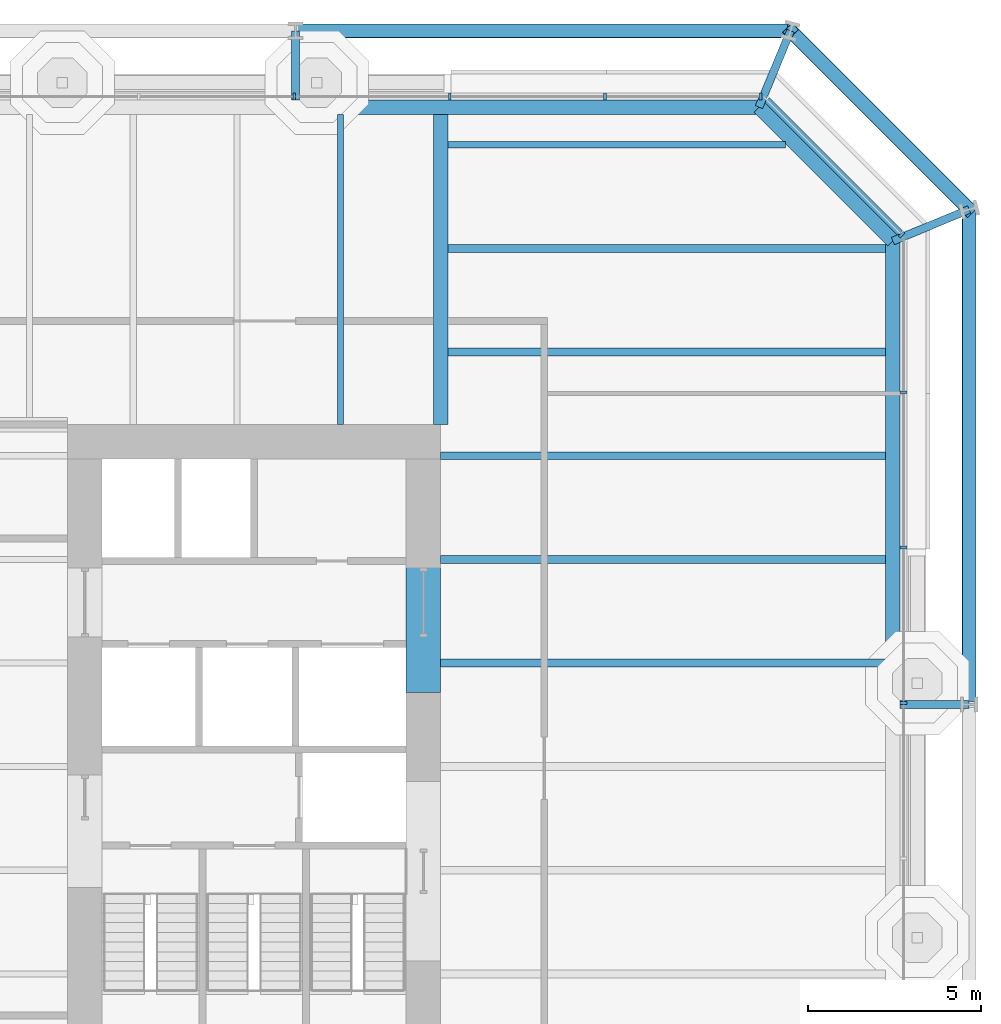
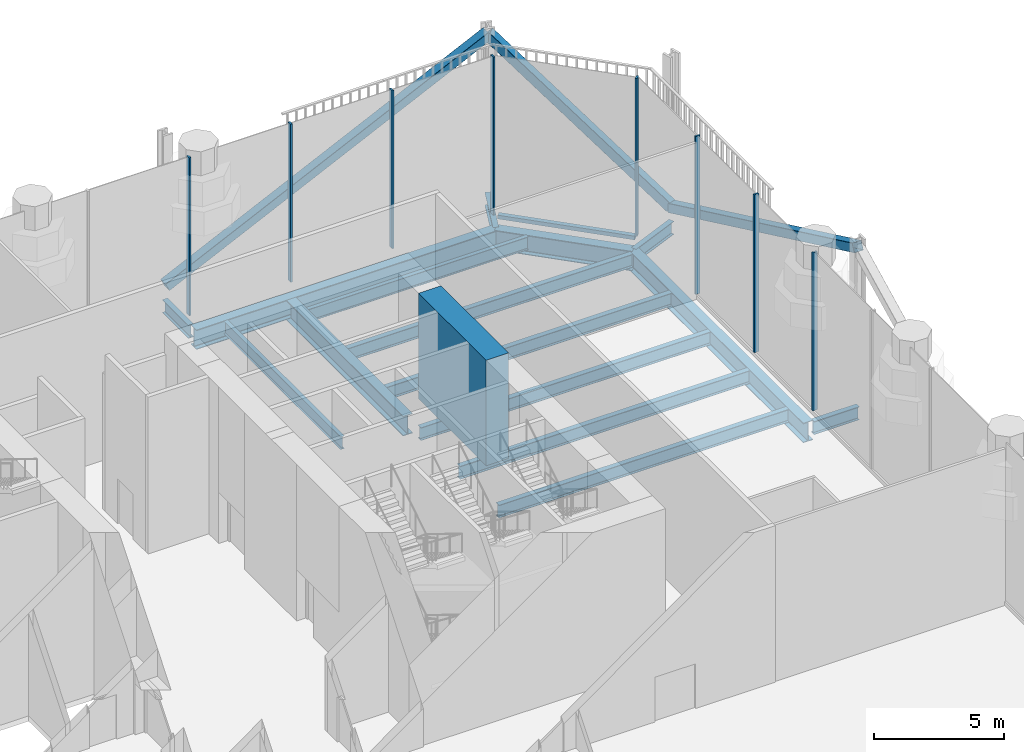
# One storey, part 10 of 18: 16 beams, 12 members, 3 elements without a shape of their own.
"""IFC4 building model written with IfcOpenShell, lengths in metres."""

from ifc_helpers import new_model, si_unit, direction, frame, origin, origin_2d, place, context, subcontext, project, spatial, rectangle, hollow_rectangle, i_section, extrude, material, layer, layer_set, material_profile, profile_set, type_object, element, aggregate, save


model = new_model("IFC4")

# Units and contexts
model_context = context("Model", 3, precision=1e-05, world=origin(), true_north=direction((0.0, 1.0)))
body_context = subcontext(model_context, "Body", "Model", "MODEL_VIEW")
ifc_project = project(units=[si_unit("LENGTHUNIT", "METRE"), si_unit("AREAUNIT", "SQUARE_METRE"), si_unit("VOLUMEUNIT", "CUBIC_METRE"), si_unit("PLANEANGLEUNIT", "RADIAN"), si_unit("MASSUNIT", "GRAM", prefix="KILO")], contexts=[model_context])

# Site, building, storey
site_placement = place(None, origin())
site = spatial("IfcSite", under=ifc_project, at=site_placement, CompositionType="ELEMENT")
building_placement = place(site_placement, origin())
building = spatial("IfcBuilding", under=site, at=building_placement, Name="Millrace Tower", CompositionType="ELEMENT")
storey_placement = place(building_placement, frame((0.0, 0.0, 112.800048828125)))
storey = spatial("IfcBuildingStorey", under=building, at=storey_placement, Name="L25", CompositionType="ELEMENT", Elevation=112.800048828125)

# Curtain wall, members
ifc_material_1 = material(Name="Aluminium and glass", Category="aluminium")
ifc_layer = layer(ifc_material_1, 0.199951171875)
ifc_layer_set = layer_set([ifc_layer], Name="Aluminium and glass")
curtain_wall_type = type_object("IfcCurtainWallType", Name="CW-4 sky garden winter glazing", PredefinedType="NOTDEFINED", material=ifc_layer_set)
placement = place(storey_placement, origin())
curtain_wall_1 = element("IfcCurtainWall", 1, at=placement, inside=storey, type_object=curtain_wall_type, Name="Curtain wall B-F04 L25", PredefinedType="NOTDEFINED")
ifc_material_2 = material(Name="Aluminium", Category="aluminium")
ifc_material_profile_1 = material_profile(ifc_material_2, rectangle(XDim=0.080078125, YDim=0.199951171875, at=origin_2d()))
ifc_profile_set_1 = profile_set([ifc_material_profile_1], Name="Aluminium")
member_type_1 = type_object("IfcMemberType", Name="CW-4 sky garden winter glazing mullion", PredefinedType="MULLION", material=ifc_profile_set_1)
member_1_placement = place(storey_placement, frame((28.300048828125, 1.840087890625, 0.179931640625), z_axis=(0.0, 0.0, 1.0), x_axis=(0.0, 1.0, 0.0)))
member_1 = element("IfcMember", 2, at=member_1_placement, type_object=member_type_1, Name="CW4 mullion B-F04.7", PredefinedType="MULLION", context=body_context, shape_type="SweptSolid", body=[
    extrude(rectangle(XDim=0.080078125, YDim=0.199951171875, at=origin_2d()), origin(), (0.0, 0.0, 1.0), 7.419921875),
])
member_2_placement = place(storey_placement, frame((28.300048828125, 6.340087890625, 0.179931640625), z_axis=(0.0, 0.0, 1.0), x_axis=(0.0, 1.0, 0.0)))
member_2 = element("IfcMember", 3, at=member_2_placement, type_object=member_type_1, Name="CW4 mullion B-F04.8", PredefinedType="MULLION", context=body_context, shape_type="SweptSolid", body=[
    extrude(rectangle(XDim=0.080078125, YDim=0.199951171875, at=origin_2d()), origin(), (0.0, 0.0, 1.0), 7.419921875),
])
member_3_placement = place(storey_placement, frame((28.300048828125, 10.840087890625, 0.179931640625), z_axis=(0.0, 0.0, 1.0), x_axis=(0.0, 1.0, 0.0)))
member_3 = element("IfcMember", 4, at=member_3_placement, type_object=member_type_1, Name="CW4 mullion B-F04.9", PredefinedType="MULLION", context=body_context, shape_type="SweptSolid", body=[
    extrude(rectangle(XDim=0.080078125, YDim=0.199951171875, at=origin_2d()), origin(), (0.0, 0.0, 1.0), 7.419921875),
])
aggregate(curtain_wall_1, [member_1, member_2, member_3])

# Curtain wall, member
curtain_wall_2 = element("IfcCurtainWall", 5, at=placement, inside=storey, type_object=curtain_wall_type, Name="Curtain wall B-F05 L25", PredefinedType="NOTDEFINED")
member_4_placement = place(storey_placement, frame((28.242431640625, 15.39892578125, 0.179931640625), z_axis=(0.0, 0.0, 1.0), x_axis=(-0.707106781187, 0.707106781187, 0.0)))
member_4 = element("IfcMember", 6, at=member_4_placement, type_object=member_type_1, Name="CW4 mullion B-F05.1", PredefinedType="MULLION", context=body_context, shape_type="SweptSolid", body=[
    extrude(rectangle(XDim=0.080078125, YDim=0.199951171875, at=origin_2d()), origin(), (0.0, 0.0, 1.0), 7.419921875),
])

# Curtain wall, members
curtain_wall_3 = element("IfcCurtainWall", 7, at=placement, inside=storey, type_object=curtain_wall_type, Name="Curtain wall B-F06 L25", PredefinedType="NOTDEFINED")
member_5_placement = place(storey_placement, frame((24.159912109375, 19.39990234375, 0.179931640625), z_axis=(0.0, 0.0, 1.0), x_axis=(-1.0, 0.0, 0.0)))
member_5 = element("IfcMember", 8, at=member_5_placement, type_object=member_type_1, Name="CW4 mullion B-F06.1", PredefinedType="MULLION", context=body_context, shape_type="SweptSolid", body=[
    extrude(rectangle(XDim=0.080078125, YDim=0.199951171875, at=origin_2d()), origin(), (0.0, 0.0, 1.0), 7.419921875),
])
member_6_placement = place(storey_placement, frame((19.659912109375, 19.39990234375, 0.179931640625), z_axis=(0.0, 0.0, 1.0), x_axis=(-1.0, 0.0, 0.0)))
member_6 = element("IfcMember", 9, at=member_6_placement, type_object=member_type_1, Name="CW4 mullion B-F06.2", PredefinedType="MULLION", context=body_context, shape_type="SweptSolid", body=[
    extrude(rectangle(XDim=0.080078125, YDim=0.199951171875, at=origin_2d()), origin(), (0.0, 0.0, 1.0), 7.419921875),
])
member_7_placement = place(storey_placement, frame((15.159912109375, 19.39990234375, 0.179931640625), z_axis=(0.0, 0.0, 1.0), x_axis=(-1.0, 0.0, 0.0)))
member_7 = element("IfcMember", 10, at=member_7_placement, type_object=member_type_1, Name="CW4 mullion B-F06.3", PredefinedType="MULLION", context=body_context, shape_type="SweptSolid", body=[
    extrude(rectangle(XDim=0.080078125, YDim=0.199951171875, at=origin_2d()), origin(), (0.0, 0.0, 1.0), 7.419921875),
])
member_8_placement = place(storey_placement, frame((10.659912109375, 19.39990234375, 0.179931640625), z_axis=(0.0, 0.0, 1.0), x_axis=(-1.0, 0.0, 0.0)))
member_8 = element("IfcMember", 11, at=member_8_placement, type_object=member_type_1, Name="CW4 mullion B-F06.4", PredefinedType="MULLION", context=body_context, shape_type="SweptSolid", body=[
    extrude(rectangle(XDim=0.080078125, YDim=0.199951171875, at=origin_2d()), origin(), (0.0, 0.0, 1.0), 7.419921875),
])
aggregate(curtain_wall_3, [member_5, member_6, member_7, member_8])

# Member
ifc_material_3 = material(Name="Aluminium", Category="aluminium")
ifc_material_profile_2 = material_profile(ifc_material_3, rectangle(XDim=0.199951171875, YDim=0.179931640625, at=origin_2d()))
ifc_profile_set_2 = profile_set([ifc_material_profile_2], Name="Aluminium")
member_type_2 = type_object("IfcMemberType", Name="CW-4 sky garden winter glazing transom", PredefinedType="USERDEFINED", material=ifc_profile_set_2)
member_9_placement = place(storey_placement, frame((28.199951171875, 15.44140625, 0.08984375), z_axis=(-0.707106781187, 0.707106781187, 0.0), x_axis=(-0.707106781187, -0.707106781187, 0.0)))
member_9 = element("IfcMember", 12, at=member_9_placement, type_object=member_type_2, Name="CW4 transom B-F05.1", ObjectType="TRANSOM", PredefinedType="USERDEFINED", context=body_context, shape_type="SweptSolid", body=[
    extrude(rectangle(XDim=0.199951171875, YDim=0.179931640625, at=origin_2d()), origin(), (0.0, 0.0, 1.0), 5.45703125),
])

aggregate(curtain_wall_2, [member_4, member_9])

# Beam
ifc_material_4 = material(Name="Concrete C80", Category="concrete")
ifc_material_profile_3 = material_profile(ifc_material_4, rectangle(XDim=1.0, YDim=4.949951171875, at=origin_2d()))
ifc_profile_set_3 = profile_set([ifc_material_profile_3], Name="Concrete C80")
beam_type_1 = type_object("IfcBeamType", Name="Coupling beam 1000 x 4950 Concrete C80, 2000 opening", PredefinedType="BEAM", material=ifc_profile_set_3)
beam_1_placement = place(storey_placement, frame((14.39990234375, 7.348876953125, 4.875), z_axis=(0.0, -1.0, 0.0), x_axis=(1.0, 0.0, 0.0)))
element("IfcBeam", 13, at=beam_1_placement, inside=storey, type_object=beam_type_1, Name="Coupling beam E L25", PredefinedType="BEAM", context=body_context, shape_type="SweptSolid", body=[
    extrude(rectangle(XDim=1.0, YDim=4.949951171875, at=origin_2d()), origin(), (0.0, 0.0, 1.0), 5.19775390625),
])

# Members
ifc_material_5 = material(Name="Steel ASTM A500 Grade C", Category="steel")
ifc_material_profile_4 = material_profile(ifc_material_5, hollow_rectangle(XDim=0.406494140625, YDim=0.406494140625, WallThickness=0.0126953125, InnerFilletRadius=0.00634765625, OuterFilletRadius=0.01904296875, at=origin_2d()))
ifc_profile_set_4 = profile_set([ifc_material_profile_4], Name="Steel ASTM A500 Grade C")
member_type_3 = type_object("IfcMemberType", Name="Exoskeleton brace HSS16x16x1/2", PredefinedType="BRACE", material=ifc_profile_set_4)
member_10_placement = place(storey_placement, frame((30.199951171875, 16.12841796875, 0.39990234375), z_axis=(0.0, -0.90342227316, 0.428751905371), x_axis=(1.0, 0.0, 0.0)))
element("IfcMember", 14, at=member_10_placement, inside=storey, type_object=member_type_3, Name="BRC-B-L25-08", PredefinedType="BRACE", context=body_context, shape_type="SweptSolid", body=[
    extrude(hollow_rectangle(XDim=0.406494140625, YDim=0.406494140625, WallThickness=0.0126953125, InnerFilletRadius=0.00634765625, OuterFilletRadius=0.01904296875, at=origin_2d()), origin(), (0.0, 0.0, 1.0), 15.860107421875),
])
member_11_placement = place(storey_placement, frame((30.199951171875, 16.12841796875, 0.39990234375), z_axis=(-0.517856972807, 0.517856972807, 0.680917257404), x_axis=(-0.707106781187, -0.707106781187, 0.0)))
element("IfcMember", 15, at=member_11_placement, inside=storey, type_object=member_type_3, Name="BRC-B-L25-09", PredefinedType="BRACE", context=body_context, shape_type="SweptSolid", body=[
    extrude(hollow_rectangle(XDim=0.406494140625, YDim=0.406494140625, WallThickness=0.0126953125, InnerFilletRadius=0.00634765625, OuterFilletRadius=0.01904296875, at=origin_2d()), origin(), (0.0, 0.0, 1.0), 9.986572265625),
])
member_12_placement = place(storey_placement, frame((10.699951171875, 21.300048828125, 0.39990234375), z_axis=(0.90342227316, 0.0, 0.428751905371), x_axis=(0.0, 1.0, 0.0)))
element("IfcMember", 16, at=member_12_placement, inside=storey, type_object=member_type_3, Name="BRC-B-L25-10", PredefinedType="BRACE", context=body_context, shape_type="SweptSolid", body=[
    extrude(hollow_rectangle(XDim=0.406494140625, YDim=0.406494140625, WallThickness=0.0126953125, InnerFilletRadius=0.00634765625, OuterFilletRadius=0.01904296875, at=origin_2d()), origin(), (0.0, 0.0, 1.0), 15.860107421875),
])

# Beams
ifc_material_6 = material(Name="Steel ASTM A992 Grade 50", Category="steel")
ifc_material_profile_5 = material_profile(ifc_material_6, i_section(OverallWidth=0.177978515625, OverallDepth=0.599365234375, WebThickness=0.010009765625, FlangeThickness=0.012939453125, FilletRadius=0.012939453125, at=origin_2d()))
ifc_profile_set_5 = profile_set([ifc_material_profile_5], Name="Steel ASTM A992 Grade 50")
beam_type_2 = type_object("IfcBeamType", Name="Floor beam W24x55", PredefinedType="JOIST", material=ifc_profile_set_5)
beam_2_placement = place(storey_placement, frame((12.0, 9.89990234375, -0.5498046875), z_axis=(0.0, 1.0, 0.0), x_axis=(-1.0, 0.0, 0.0)))
element("IfcBeam", 17, at=beam_2_placement, inside=storey, type_object=beam_type_2, Name="BM-B-L25-S1-S056", PredefinedType="JOIST", context=body_context, shape_type="SweptSolid", body=[
    extrude(i_section(OverallWidth=0.177978515625, OverallDepth=0.599365234375, WebThickness=0.010009765625, FlangeThickness=0.012939453125, FilletRadius=0.012939453125, at=origin_2d()), origin(), (0.0, 0.0, 1.0), 8.98095703125),
])
beam_3_placement = place(storey_placement, frame((15.11083984375, 18.0, -0.5498046875), z_axis=(1.0, 0.0, 0.0), x_axis=(0.0, 1.0, 0.0)))
element("IfcBeam", 18, at=beam_3_placement, inside=storey, type_object=beam_type_2, Name="BM-B-L25-S1-S039", PredefinedType="JOIST", context=body_context, shape_type="SweptSolid", body=[
    extrude(i_section(OverallWidth=0.177978515625, OverallDepth=0.599365234375, WebThickness=0.010009765625, FlangeThickness=0.012939453125, FilletRadius=0.012939453125, at=origin_2d()), origin(), (0.0, 0.0, 1.0), 9.7724609375),
])
ifc_material_7 = material(Name="Steel ASTM A992 Grade 50", Category="steel")
ifc_material_profile_6 = material_profile(ifc_material_7, i_section(OverallWidth=0.228271484375, OverallDepth=0.607177734375, WebThickness=0.01123046875, FlangeThickness=0.017333984375, FilletRadius=0.0126953125, at=origin_2d()))
ifc_profile_set_6 = profile_set([ifc_material_profile_6], Name="Steel ASTM A992 Grade 50")
beam_type_3 = type_object("IfcBeamType", Name="Floor beam W24x76", PredefinedType="JOIST", material=ifc_profile_set_6)
for number, where, z_axis, x_axis, name in (
    (19, (14.89990234375, 3.0, -0.553466796875), (1.0, 0.0, 0.0), (0.0, 1.0, 0.0), "BM-B-L25-S1-S027"),
    (20, (14.89990234375, 6.0, -0.553466796875), (1.0, 0.0, 0.0), (0.0, 1.0, 0.0), "BM-B-L25-S1-S030"),
    (21, (14.89990234375, 9.0, -0.553466796875), (1.0, 0.0, 0.0), (0.0, 1.0, 0.0), "BM-B-L25-S1-S033"),
):
    element("IfcBeam", number, at=place(storey_placement, frame(where, z_axis=z_axis, x_axis=x_axis)), inside=storey, type_object=beam_type_3, Name=name, PredefinedType="JOIST", context=body_context, shape_type="SweptSolid", body=[
        extrude(i_section(OverallWidth=0.228271484375, OverallDepth=0.607177734375, WebThickness=0.01123046875, FlangeThickness=0.017333984375, FilletRadius=0.0126953125, at=origin_2d()), origin(), (0.0, 0.0, 1.0), 12.881103515625),
    ])
for number, where, z_axis, x_axis, name in (
    (22, (15.11083984375, 12.0, -0.553466796875), (1.0, 0.0, 0.0), (0.0, 1.0, 0.0), "BM-B-L25-S1-S035"),
    (23, (15.11083984375, 15.0, -0.553466796875), (1.0, 0.0, 0.0), (0.0, 1.0, 0.0), "BM-B-L25-S1-S037"),
):
    element("IfcBeam", number, at=place(storey_placement, frame(where, z_axis=z_axis, x_axis=x_axis)), inside=storey, type_object=beam_type_3, Name=name, PredefinedType="JOIST", context=body_context, shape_type="SweptSolid", body=[
        extrude(i_section(OverallWidth=0.228271484375, OverallDepth=0.607177734375, WebThickness=0.01123046875, FlangeThickness=0.017333984375, FilletRadius=0.0126953125, at=origin_2d()), origin(), (0.0, 0.0, 1.0), 12.670166015625),
    ])
ifc_material_8 = material(Name="Steel ASTM A992 Grade 50", Category="steel")
ifc_material_profile_7 = material_profile(ifc_material_8, i_section(OverallWidth=0.421630859375, OverallDepth=0.937255859375, WebThickness=0.021240234375, FlangeThickness=0.03662109375, FilletRadius=0.024169921875, at=origin_2d()))
ifc_profile_set_7 = profile_set([ifc_material_profile_7], Name="Steel ASTM A992 Grade 50")
beam_type_4 = type_object("IfcBeamType", Name="Girder short span W36x262", PredefinedType="BEAM", material=ifc_profile_set_7)
beam_4_placement = place(storey_placement, frame((14.89990234375, 9.89990234375, -0.71875), z_axis=(0.0, 1.0, 0.0), x_axis=(-1.0, 0.0, 0.0)))
element("IfcBeam", 24, at=beam_4_placement, inside=storey, type_object=beam_type_4, Name="BM-B-L25-S1-G060", PredefinedType="BEAM", context=body_context, shape_type="SweptSolid", body=[
    extrude(i_section(OverallWidth=0.421630859375, OverallDepth=0.937255859375, WebThickness=0.021240234375, FlangeThickness=0.03662109375, FilletRadius=0.024169921875, at=origin_2d()), origin(), (0.0, 0.0, 1.0), 8.98095703125),
])
ifc_material_9 = material(Name="Steel ASTM A992 Grade 50", Category="steel")
ifc_material_profile_8 = material_profile(ifc_material_9, i_section(OverallWidth=0.23046875, OverallDepth=0.6171875, WebThickness=0.01318359375, FlangeThickness=0.022216796875, FilletRadius=0.012939453125, at=origin_2d()))
ifc_profile_set_8 = profile_set([ifc_material_profile_8], Name="Steel ASTM A992 Grade 50")
beam_type_5 = type_object("IfcBeamType", Name="Link beam W24x94", PredefinedType="BEAM", material=ifc_profile_set_8)
beam_5_placement = place(storey_placement, frame((10.699951171875, 19.300048828125, -0.55859375), z_axis=(0.0, 1.0, 0.0), x_axis=(-1.0, 0.0, 0.0)))
element("IfcBeam", 25, at=beam_5_placement, inside=storey, type_object=beam_type_5, Name="LNK-B-L25-S1-07", PredefinedType="BEAM", context=body_context, shape_type="SweptSolid", body=[
    extrude(i_section(OverallWidth=0.23046875, OverallDepth=0.6171875, WebThickness=0.01318359375, FlangeThickness=0.022216796875, FilletRadius=0.012939453125, at=origin_2d()), origin(), (0.0, 0.0, 1.0), 2.0),
])
for number, where, z_axis, x_axis, name in (
    (26, (24.11328125, 19.09033203125, -0.55859375), (0.382592209583, 0.923917312949, 0.0), (-0.923917312949, 0.382592209583, 0.0), "LNK-B-L25-S1-08"),
    (27, (27.990478515625, 15.213134765625, -0.55859375), (0.92386627665, 0.382715433277, 0.0), (-0.382715433277, 0.92386627665, 0.0), "LNK-B-L25-S1-09"),
):
    element("IfcBeam", number, at=place(storey_placement, frame(where, z_axis=z_axis, x_axis=x_axis)), inside=storey, type_object=beam_type_5, Name=name, PredefinedType="BEAM", context=body_context, shape_type="SweptSolid", body=[
        extrude(i_section(OverallWidth=0.23046875, OverallDepth=0.6171875, WebThickness=0.01318359375, FlangeThickness=0.022216796875, FilletRadius=0.012939453125, at=origin_2d()), origin(), (0.0, 0.0, 1.0), 2.3916015625),
    ])
beam_6_placement = place(storey_placement, frame((28.199951171875, 1.800048828125, -0.55859375), z_axis=(1.0, 0.0, 0.0), x_axis=(0.0, 1.0, 0.0)))
element("IfcBeam", 28, at=beam_6_placement, inside=storey, type_object=beam_type_5, Name="LNK-B-L25-S1-10", PredefinedType="BEAM", context=body_context, shape_type="SweptSolid", body=[
    extrude(i_section(OverallWidth=0.23046875, OverallDepth=0.6171875, WebThickness=0.01318359375, FlangeThickness=0.022216796875, FilletRadius=0.012939453125, at=origin_2d()), origin(), (0.0, 0.0, 1.0), 2.0),
])
ifc_material_10 = material(Name="Steel ASTM A992 Grade 50", Category="steel")
ifc_material_profile_9 = material_profile(ifc_material_10, i_section(OverallWidth=0.419189453125, OverallDepth=0.927001953125, WebThickness=0.019287109375, FlangeThickness=0.031982421875, FilletRadius=0.024169921875, at=origin_2d()))
ifc_profile_set_9 = profile_set([ifc_material_profile_9], Name="Steel ASTM A992 Grade 50")
beam_type_6 = type_object("IfcBeamType", Name="Ring beam medium span W36x231", PredefinedType="SPANDREL", material=ifc_profile_set_9)
beam_7_placement = place(storey_placement, frame((10.699951171875, 19.09033203125, -0.713623046875), z_axis=(1.0, 0.0, 0.0), x_axis=(0.0, 1.0, 0.0)))
element("IfcBeam", 29, at=beam_7_placement, inside=storey, type_object=beam_type_6, Name="RNG-B-L25-S1-07", PredefinedType="SPANDREL", context=body_context, shape_type="SweptSolid", body=[
    extrude(i_section(OverallWidth=0.419189453125, OverallDepth=0.927001953125, WebThickness=0.019287109375, FlangeThickness=0.031982421875, FilletRadius=0.024169921875, at=origin_2d()), origin(), (0.0, 0.0, 1.0), 13.413330078125),
])
beam_8_placement = place(storey_placement, frame((27.990478515625, 15.213134765625, -0.713623046875), z_axis=(0.0, -1.0, 0.0), x_axis=(1.0, 0.0, 0.0)))
element("IfcBeam", 30, at=beam_8_placement, inside=storey, type_object=beam_type_6, Name="RNG-B-L25-S1-09", PredefinedType="SPANDREL", context=body_context, shape_type="SweptSolid", body=[
    extrude(i_section(OverallWidth=0.419189453125, OverallDepth=0.927001953125, WebThickness=0.019287109375, FlangeThickness=0.031982421875, FilletRadius=0.024169921875, at=origin_2d()), origin(), (0.0, 0.0, 1.0), 13.4130859375),
])
ifc_material_11 = material(Name="Steel ASTM A992 Grade 50", Category="steel")
ifc_material_profile_10 = material_profile(ifc_material_11, i_section(OverallWidth=0.419189453125, OverallDepth=0.927001953125, WebThickness=0.019287109375, FlangeThickness=0.031982421875, FilletRadius=0.024169921875, at=origin_2d()))
ifc_profile_set_10 = profile_set([ifc_material_profile_10], Name="Steel ASTM A992 Grade 50")
beam_type_7 = type_object("IfcBeamType", Name="Ring beam short span W36x231", PredefinedType="SPANDREL", material=ifc_profile_set_10)
beam_9_placement = place(storey_placement, frame((24.11328125, 19.09033203125, -0.713623046875), z_axis=(0.707106781187, -0.707106781187, 0.0), x_axis=(0.707106781187, 0.707106781187, 0.0)))
element("IfcBeam", 31, at=beam_9_placement, inside=storey, type_object=beam_type_7, Name="RNG-B-L25-S1-08", PredefinedType="SPANDREL", context=body_context, shape_type="SweptSolid", body=[
    extrude(i_section(OverallWidth=0.419189453125, OverallDepth=0.927001953125, WebThickness=0.019287109375, FlangeThickness=0.031982421875, FilletRadius=0.024169921875, at=origin_2d()), origin(), (0.0, 0.0, 1.0), 5.483154296875),
])

save(model, "model.ifc")
